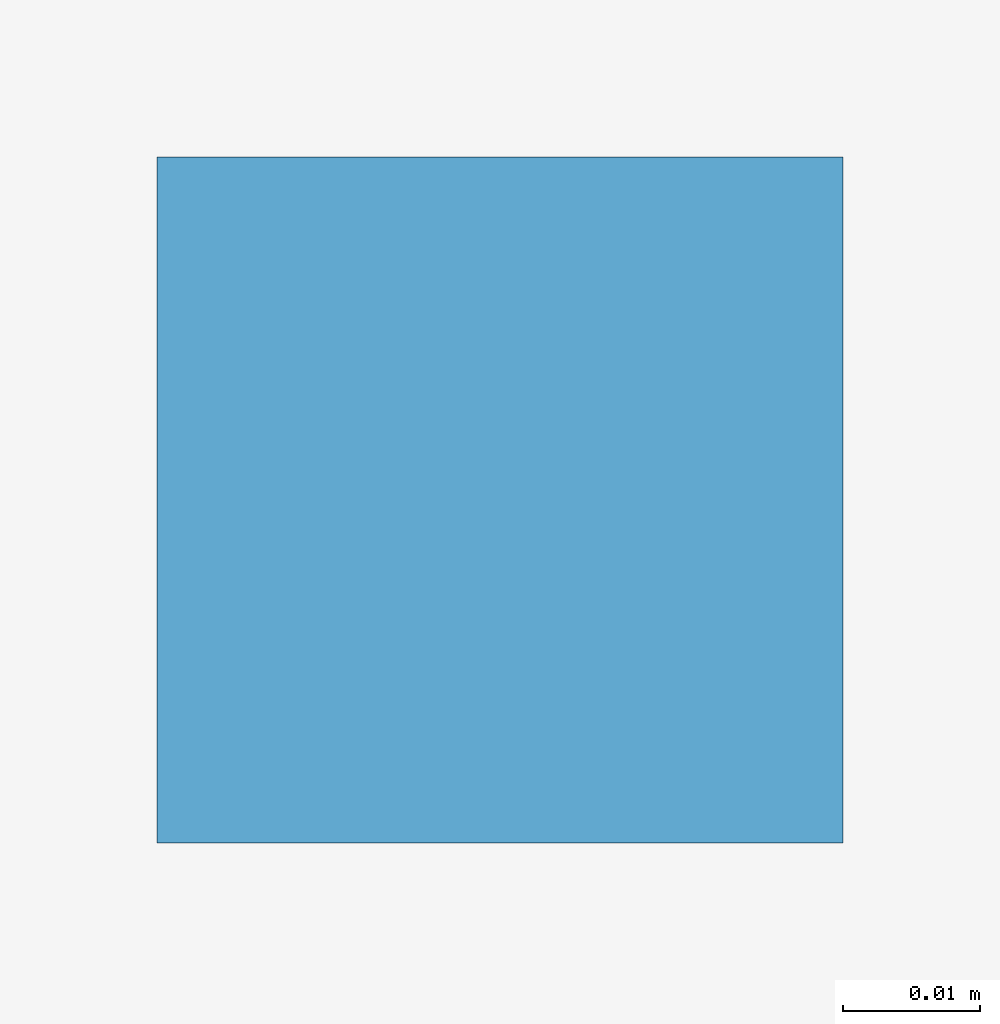
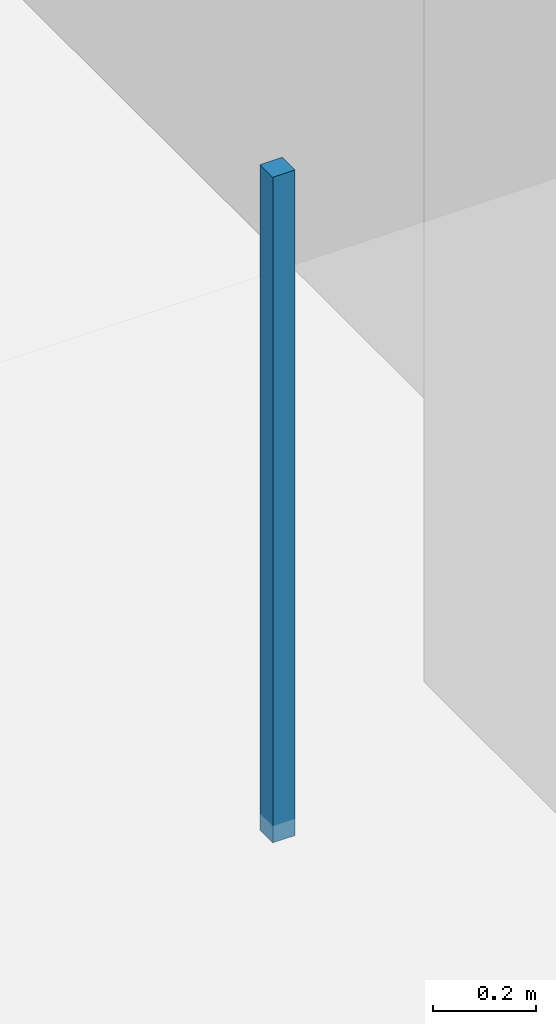
# One storey, part 37 of 56: 1 discrete accessory.
"""IFC4 building model written with IfcOpenShell, lengths in metres."""

from ifc_helpers import new_model, si_unit, direction, frame, origin, origin_2d, place, context, subcontext, project, spatial, rectangle, extrude, material, type_object, element, save


model = new_model("IFC4")

# Units and contexts
model_context = context("Model", 3, precision=1e-05, world=origin(), true_north=direction((0.0, 1.0)))
body_context = subcontext(model_context, "Body", "Model", "MODEL_VIEW")
ifc_project = project(units=[si_unit("LENGTHUNIT", "METRE"), si_unit("AREAUNIT", "SQUARE_METRE"), si_unit("VOLUMEUNIT", "CUBIC_METRE"), si_unit("PLANEANGLEUNIT", "RADIAN"), si_unit("MASSUNIT", "GRAM", prefix="KILO")], contexts=[model_context])

# Site, building, storey
site_placement = place(None, origin())
site = spatial("IfcSite", under=ifc_project, at=site_placement, CompositionType="ELEMENT")
building_placement = place(site_placement, origin())
building = spatial("IfcBuilding", under=site, at=building_placement, Name="Kazehaya Institute of Natural Sciences", CompositionType="ELEMENT")
storey_placement = place(building_placement, origin())
storey = spatial("IfcBuildingStorey", under=building, at=storey_placement, Name="L00", CompositionType="ELEMENT", Elevation=0.0)

# Discrete accessory
ifc_material = material(Name="Structural steel SN490B", Category="steel")
discrete_accessory_type = type_object("IfcDiscreteAccessoryType", Name="ACC-CLG-HGR", PredefinedType="BRACKET", material=ifc_material)
discrete_accessory_placement = place(storey_placement, frame((43.80078125, 31.09619140625, 3.74267578125), z_axis=(0.0, 0.0, 1.0), x_axis=(1.0, 0.0, 0.0)))
element("IfcDiscreteAccessory", 1, at=discrete_accessory_placement, inside=storey, type_object=discrete_accessory_type, Name="L00 ceiling suspension hanger 4", PredefinedType="BRACKET", context=body_context, shape_type="SweptSolid", body=[
    extrude(rectangle(XDim=0.050048828125, YDim=0.050048828125, at=origin_2d()), origin(), (0.0, 0.0, 1.0), 1.577392578125),
])

save(model, "model.ifc")
